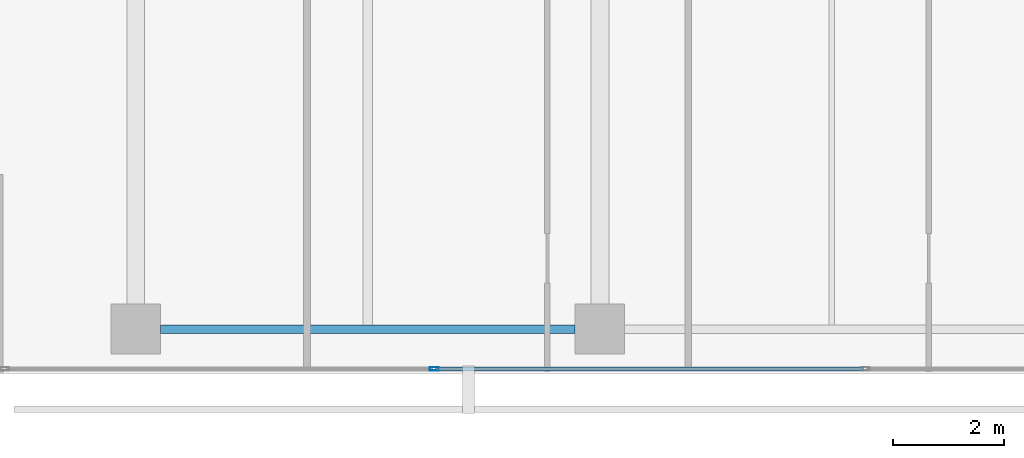
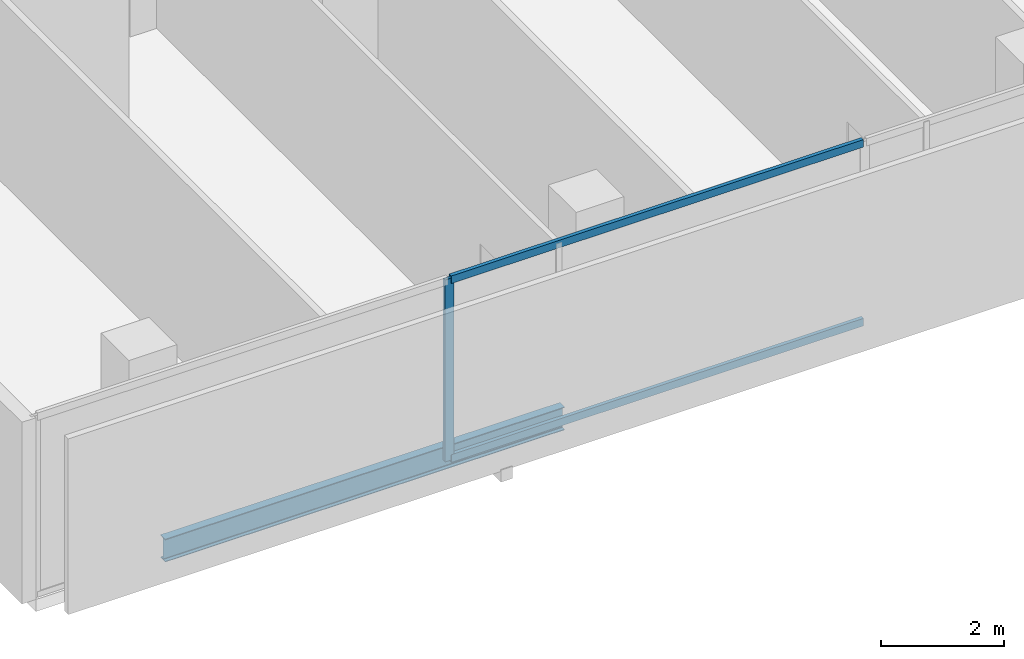
# One storey, part 3 of 40: 3 members, 1 beam, 1 element without a shape of its own.
"""IFC4 building model written with IfcOpenShell, lengths in metres."""

from ifc_helpers import new_model, si_unit, direction, frame, origin, origin_2d, place, context, subcontext, project, spatial, hollow_rectangle, i_section, extrude, material, layer, layer_set, material_profile, profile_set, type_object, element, aggregate, save


model = new_model("IFC4")

# Units and contexts
model_context = context("Model", 3, precision=1e-05, world=origin(), true_north=direction((0.0, 1.0)))
body_context = subcontext(model_context, "Body", "Model", "MODEL_VIEW")
ifc_project = project(units=[si_unit("LENGTHUNIT", "METRE"), si_unit("AREAUNIT", "SQUARE_METRE"), si_unit("VOLUMEUNIT", "CUBIC_METRE"), si_unit("PLANEANGLEUNIT", "RADIAN"), si_unit("MASSUNIT", "GRAM", prefix="KILO")], contexts=[model_context])

# Site, building, storey
site_placement = place(None, origin())
site = spatial("IfcSite", under=ifc_project, at=site_placement, CompositionType="ELEMENT")
building_placement = place(site_placement, origin())
building = spatial("IfcBuilding", under=site, at=building_placement, Name="Maruvema Waterfront Hotel and Observation Tower", CompositionType="ELEMENT")
storey_placement = place(building_placement, frame((0.0, 0.0, 80.85009765625)))
storey = spatial("IfcBuildingStorey", under=building, at=storey_placement, Name="L19", CompositionType="ELEMENT", Elevation=80.85009765625)

# Curtain wall, members
ifc_material_1 = material(Name="Anodised bronze aluminium and solar-control low-E IGU", Category="aluminium")
ifc_layer = layer(ifc_material_1, 0.159912109375, Name="Zone 1 Bronze Inner Thermal Curtain Wall System CW-02")
ifc_layer_set = layer_set([ifc_layer], Name="Anodised bronze aluminium and solar-control low-E IGU")
curtain_wall_type = type_object("IfcCurtainWallType", Name="Zone 1 Bronze Inner Thermal Curtain Wall System CW-02", PredefinedType="USERDEFINED", material=ifc_layer_set)
curtain_wall_placement = place(storey_placement, origin())
curtain_wall = element("IfcCurtainWall", 1, at=curtain_wall_placement, inside=storey, type_object=curtain_wall_type, Name="L19 Curtain Wall CW-L19-S", ObjectType="UNITISED CURTAIN WALL", PredefinedType="USERDEFINED")
ifc_material_2 = material(Name="Anodised architectural bronze aluminium", Category="aluminium")
ifc_material_profile_1 = material_profile(ifc_material_2, hollow_rectangle(XDim=0.070068359375, YDim=0.14990234375, WallThickness=0.00390625, at=origin_2d()), Name="ALU-T70x150")
ifc_profile_set_1 = profile_set([ifc_material_profile_1], Name="Anodised architectural bronze aluminium")
member_type_1 = type_object("IfcMemberType", Name="Curtain Wall Horizontal Transom ALU-T70x150", PredefinedType="USERDEFINED", material=ifc_profile_set_1)
member_1_placement = place(storey_placement, frame((22.22998046875, 0.080078125, 0.02978515625), z_axis=(1.0, 0.0, 0.0), x_axis=(0.0, 1.0, 0.0)))
member_1 = element("IfcMember", 2, at=member_1_placement, type_object=member_type_1, Name="CW-02 transom 2.1", ObjectType="TRANSOM", PredefinedType="USERDEFINED", context=body_context, shape_type="SweptSolid", body=[
    extrude(hollow_rectangle(XDim=0.070068359375, YDim=0.14990234375, WallThickness=0.00390625, at=origin_2d()), origin(), (0.0, 0.0, 1.0), 7.739990234375),
])
member_2_placement = place(storey_placement, frame((22.22998046875, 0.080078125, 3.579833984375), z_axis=(1.0, 0.0, 0.0), x_axis=(0.0, 1.0, 0.0)))
member_2 = element("IfcMember", 3, at=member_2_placement, type_object=member_type_1, Name="CW-02 transom 2.2", ObjectType="TRANSOM", PredefinedType="USERDEFINED", context=body_context, shape_type="SweptSolid", body=[
    extrude(hollow_rectangle(XDim=0.070068359375, YDim=0.14990234375, WallThickness=0.00390625, at=origin_2d()), origin(), (0.0, 0.0, 1.0), 7.739990234375),
])
ifc_material_3 = material(Name="Anodised architectural bronze aluminium", Category="aluminium")
ifc_material_profile_2 = material_profile(ifc_material_3, hollow_rectangle(XDim=0.06494140625, YDim=0.1650390625, WallThickness=0.00390625, at=origin_2d()), Name="ALU-M65x165")
ifc_profile_set_2 = profile_set([ifc_material_profile_2], Name="Anodised architectural bronze aluminium")
member_type_2 = type_object("IfcMemberType", Name="Curtain Wall Primary Mullion ALU-M65x165", PredefinedType="MULLION", material=ifc_profile_set_2)
member_3_placement = place(storey_placement, frame((22.199951171875, 0.080078125, 0.0), z_axis=(0.0, 0.0, 1.0), x_axis=(0.0, 1.0, 0.0)))
member_3 = element("IfcMember", 4, at=member_3_placement, type_object=member_type_2, Name="CW-02 mullion 2", PredefinedType="MULLION", context=body_context, shape_type="SweptSolid", body=[
    extrude(hollow_rectangle(XDim=0.06494140625, YDim=0.1650390625, WallThickness=0.00390625, at=origin_2d()), origin(), (0.0, 0.0, 1.0), 3.60986328125),
])
aggregate(curtain_wall, [member_3, member_1, member_2])

# Beam
ifc_material_4 = material(Name="Steel ASTM A572 Grade 50", Category="steel")
ifc_material_profile_3 = material_profile(ifc_material_4, i_section(OverallWidth=0.153076171875, OverallDepth=0.455078125, WebThickness=0.008056640625, FlangeThickness=0.01318359375, FilletRadius=0.014892578125, at=origin_2d()), Name="W460x60.0")
ifc_profile_set_3 = profile_set([ifc_material_profile_3], Name="Steel ASTM A572 Grade 50")
beam_type = type_object("IfcBeamType", Name="Perimeter Spandrel Beam W460x60.0", PredefinedType="SPANDREL", material=ifc_profile_set_3)
beam_placement = place(storey_placement, frame((17.25, 0.800048828125, -0.467529296875), z_axis=(1.0, 0.0, 0.0), x_axis=(0.0, 1.0, 0.0)))
element("IfcBeam", 5, at=beam_placement, inside=storey, type_object=beam_type, Name="L19 Floor Girder EW-01", PredefinedType="SPANDREL", context=body_context, shape_type="SweptSolid", body=[
    extrude(i_section(OverallWidth=0.153076171875, OverallDepth=0.455078125, WebThickness=0.008056640625, FlangeThickness=0.01318359375, FilletRadius=0.014892578125, at=origin_2d()), origin(), (0.0, 0.0, 1.0), 7.5),
])

save(model, "model.ifc")
